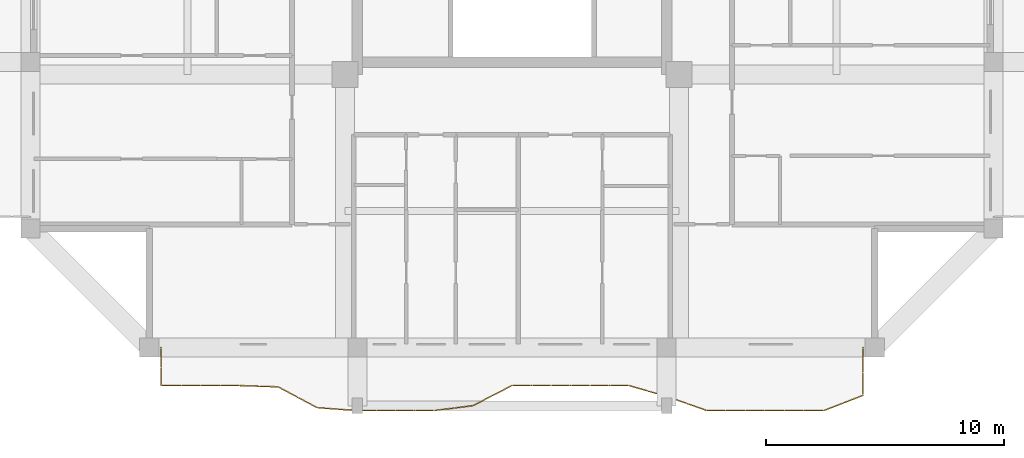
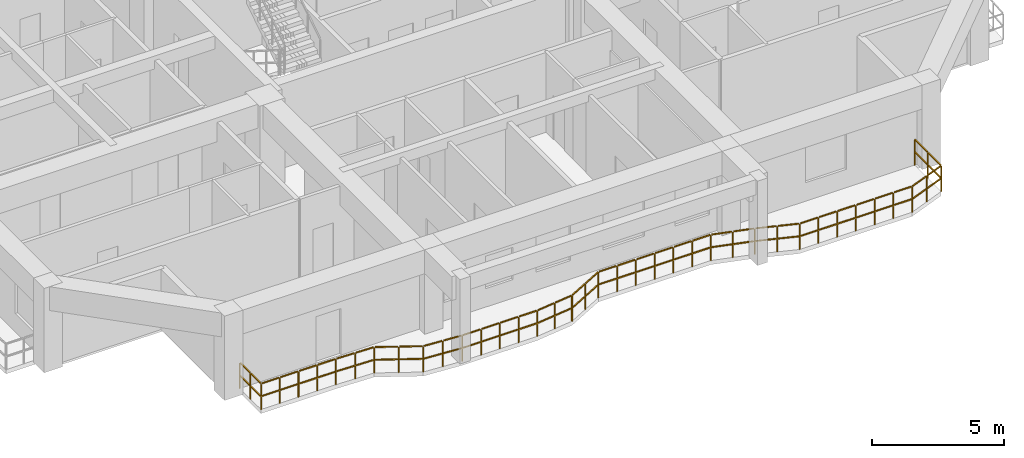
# One storey, part 10 of 14: 1 railing.
"""IFC4 building model written with IfcOpenShell, lengths in metres."""

import ifcopenshell
import ifcopenshell.guid

model = None  # the IFC model being written
_history = None  # IfcOwnerHistory: only IFC2X3 demands one
_inside = {}  # id of a spatial element -> (the spatial element, [elements in it])
_under = {}  # id of a project, library or spatial element -> (it, [spatial elements below it])
_declared = {}  # id of a project -> (the project, [libraries it declares])
_typed = {}  # id of a type object -> (the type object, [elements of that type])
_made_of = {}  # id of a material, layer set ... -> (it, [elements and type objects made of it])


def new_model(schema):
    """Start an empty IFC model of exactly this schema.

    Asked for "IFC4X3", IfcOpenShell would pick the latest addendum, in which some entities
    have other attributes; the version numbers below select the first issue.
    IFC2X3 requires an IfcOwnerHistory on every rooted entity: one is made here for all.
    """
    global model, _history
    if schema == "IFC4X3":
        model = ifcopenshell.file(schema_version=(4, 3, 0, 0))
    else:
        model = ifcopenshell.file(schema=schema)
    _inside.clear()
    _under.clear()
    _declared.clear()
    _typed.clear()
    _made_of.clear()
    _history = None
    if model.schema == "IFC2X3":
        org = make("IfcOrganization", Name="unknown")
        user = make(
            "IfcPersonAndOrganization",
            ThePerson=make("IfcPerson", FamilyName="unknown"),
            TheOrganization=org,
        )
        app = make(
            "IfcApplication",
            ApplicationDeveloper=org,
            Version="unknown",
            ApplicationFullName="unknown",
            ApplicationIdentifier="unknown",
        )
        _history = make(
            "IfcOwnerHistory",
            OwningUser=user,
            OwningApplication=app,
            ChangeAction="ADDED",
            CreationDate=0,
        )
    return model


def make(cls, **values):
    """One entity of the class cls with the attributes given. An attribute that is None is left unset."""
    return model.create_entity(
        cls, **{name: value for name, value in values.items() if value is not None}
    )


def rooted(cls, **values):
    """An entity with a GlobalId (a new one), such as an element, a storey or a relation."""
    return make(cls, GlobalId=ifcopenshell.guid.new(), OwnerHistory=_history, **values)


def si_unit(unit_type, name, prefix=None):
    """IfcSIUnit, for example si_unit("LENGTHUNIT", "METRE", prefix="MILLI")."""
    return make("IfcSIUnit", UnitType=unit_type, Prefix=prefix, Name=name)


def assignment(units):
    """IfcUnitAssignment: the units of a project."""
    return None if units is None else make("IfcUnitAssignment", Units=units)


def point(xyz):
    """IfcCartesianPoint."""
    return None if xyz is None else make("IfcCartesianPoint", Coordinates=xyz)


def direction(xyz):
    """IfcDirection."""
    return None if xyz is None else make("IfcDirection", DirectionRatios=xyz)


def frame(location, z_axis=None, x_axis=None):
    """IfcAxis2Placement3D, a coordinate frame: its origin and axes. An axis left out is left unset."""
    return make(
        "IfcAxis2Placement3D",
        Location=point(location),
        Axis=direction(z_axis),
        RefDirection=direction(x_axis),
    )


def frame_2d(location, x_axis=None):
    """IfcAxis2Placement2D, a coordinate frame in the plane: its origin and x axis."""
    return make(
        "IfcAxis2Placement2D", Location=point(location), RefDirection=direction(x_axis)
    )


def origin():
    """The frame at (0, 0, 0) with its axes left unset."""
    return frame((0.0, 0.0, 0.0))


def origin_2d():
    """The frame at (0, 0) in the plane with its x axis left unset."""
    return frame_2d((0.0, 0.0))


def place(relative_to, where):
    """IfcLocalPlacement: puts the frame where relative to a parent placement (None: the world)."""
    return make(
        "IfcLocalPlacement", PlacementRelTo=relative_to, RelativePlacement=where
    )


def context(
    kind, dimensions, precision=None, world=None, true_north=None, identifier=None
):
    """IfcGeometricRepresentationContext, for example the 3D "Model" context."""
    return make(
        "IfcGeometricRepresentationContext",
        ContextIdentifier=identifier,
        ContextType=kind,
        CoordinateSpaceDimension=dimensions,
        Precision=precision,
        WorldCoordinateSystem=world,
        TrueNorth=true_north,
    )


def subcontext(parent, identifier, kind, view, scale=None):
    """IfcGeometricRepresentationSubContext, for example "Body" below "Model"."""
    return make(
        "IfcGeometricRepresentationSubContext",
        ContextIdentifier=identifier,
        ContextType=kind,
        ParentContext=parent,
        TargetScale=scale,
        TargetView=view,
    )


def project(units=None, contexts=None):
    """IfcProject with its units and contexts."""
    return rooted(
        "IfcProject",
        Name="project",
        RepresentationContexts=contexts,
        UnitsInContext=assignment(units),
    )


def spatial(cls, under=None, at=None, **own):
    """A site, building, storey or space (cls), placed at a placement, below another one or the project."""
    s = rooted(cls, ObjectPlacement=at, **own)
    if under is not None:
        _under.setdefault(under.id(), (under, []))[1].append(s)
    return s


def profile(cls, at=None, kind="AREA", **sizes):
    """A parametric profile (cls). Its sizes go by their IFC names, for example OverallWidth=200.0."""
    return make(cls, ProfileType=kind, Position=at, **sizes)


def rectangle(**sizes):
    """IfcRectangleProfileDef."""
    return profile("IfcRectangleProfileDef", **sizes)


def extrude(swept, where, along, depth):
    """IfcExtrudedAreaSolid: the profile swept, set in the frame where, extruded along a direction by depth."""
    return make(
        "IfcExtrudedAreaSolid",
        SweptArea=swept,
        Position=where,
        ExtrudedDirection=direction(along),
        Depth=depth,
    )


def shape(context_of_items, identifier, shape_type, items):
    """IfcShapeRepresentation: the items that make up one representation, for example the "Body"."""
    return make(
        "IfcShapeRepresentation",
        ContextOfItems=context_of_items,
        RepresentationIdentifier=identifier,
        RepresentationType=shape_type,
        Items=items,
    )


def material(Name=None, Category=None):
    """IfcMaterial."""
    return make("IfcMaterial", Name=Name, Category=Category)


def made_of(thing, what):
    """Note that an element or type object is made of a material, layer set ...; save() writes the relation."""
    if what is not None:
        _made_of.setdefault(what.id(), (what, []))[1].append(thing)
    return thing


def type_object(cls, material=None, **own):
    """A type object (cls), such as IfcWallType, which elements share."""
    return made_of(rooted(cls, **own), material)


def element(
    cls,
    number,
    at=None,
    inside=None,
    cuts=None,
    type_object=None,
    material=None,
    context=None,
    identifier="Body",
    shape_type=None,
    held_by="IfcProductDefinitionShape",
    body=None,
    shapes=None,
    **own,
):
    """One element of the class cls, such as IfcWall. Its Tag is "e" and its number.

    at: its placement. inside: the storey or other place that contains it. cuts: it is an
    opening in that element (IfcRelVoidsElement). A single representation is given by context,
    identifier, shape_type and body (its items); several are given by shapes. held_by: the class
    of the entity that holds the representations. save() writes the other relations.
    """
    e = rooted(cls, Tag="e%d" % number, ObjectPlacement=at, **own)
    if body is not None:
        shapes = [shape(context, identifier, shape_type, body)]
    if shapes is not None:
        e.Representation = make(held_by, Representations=shapes)
    if inside is not None:
        _inside.setdefault(inside.id(), (inside, []))[1].append(e)
    if cuts is not None:
        rooted(
            "IfcRelVoidsElement", RelatingBuildingElement=cuts, RelatedOpeningElement=e
        )
    if type_object is not None:
        _typed.setdefault(type_object.id(), (type_object, []))[1].append(e)
    return made_of(e, material)


def aggregate(whole, parts):
    """IfcRelAggregates: a whole, such as a stair, and the parts it consists of."""
    return rooted("IfcRelAggregates", RelatingObject=whole, RelatedObjects=parts)


def save(model, path):
    """Write the relations noted so far, then the file.

    IfcRelAggregates (storeys below a building ...), IfcRelContainedInSpatialStructure (elements
    in a storey), IfcRelDefinesByType, IfcRelAssociatesMaterial and IfcRelDeclares: one each for
    every whole, place, type object, material and project.
    """
    for whole, parts in _under.values():
        aggregate(whole, parts)
    for where, things in _inside.values():
        rooted(
            "IfcRelContainedInSpatialStructure",
            RelatedElements=things,
            RelatingStructure=where,
        )
    for kind, things in _typed.values():
        rooted("IfcRelDefinesByType", RelatedObjects=things, RelatingType=kind)
    for what, things in _made_of.values():
        rooted("IfcRelAssociatesMaterial", RelatedObjects=things, RelatingMaterial=what)
    for by, libraries in _declared.values():
        rooted("IfcRelDeclares", RelatingContext=by, RelatedDefinitions=libraries)
    model.write(path)


model = new_model("IFC4")

# Units and contexts
model_context = context("Model", 3, precision=1e-05, world=origin(), true_north=direction((0.0, 1.0)))
body_context = subcontext(model_context, "Body", "Model", "MODEL_VIEW")
ifc_project = project(units=[si_unit("LENGTHUNIT", "METRE"), si_unit("AREAUNIT", "SQUARE_METRE"), si_unit("VOLUMEUNIT", "CUBIC_METRE"), si_unit("PLANEANGLEUNIT", "RADIAN"), si_unit("MASSUNIT", "GRAM", prefix="KILO")], contexts=[model_context])

# Site, building, storey
site_placement = place(None, origin())
site = spatial("IfcSite", under=ifc_project, at=site_placement, CompositionType="ELEMENT")
building_placement = place(site_placement, origin())
building = spatial("IfcBuilding", under=site, at=building_placement, Name="Saelheon Loggia Tower", CompositionType="ELEMENT")
storey_placement = place(building_placement, frame((0.0, 0.0, 182.800048828125)))
storey = spatial("IfcBuildingStorey", under=building, at=storey_placement, Name="L57", CompositionType="ELEMENT", Elevation=182.800048828125)

# Railing
ifc_material = material(Name="Architectural Precast Concrete and Laminated Glass Guard", Category="concrete")
railing_type = type_object("IfcRailingType", Name="Guard_Loggia_RL_LOG", PredefinedType="BALUSTRADE", material=ifc_material)
railing_placement = place(storey_placement, frame((23.25, 6.0, 0.0)))
element("IfcRailing", 1, at=railing_placement, inside=storey, type_object=railing_type, Name="L57 South Loggia Balustrade", PredefinedType="BALUSTRADE", context=body_context, shape_type="SweptSolid", body=[
    extrude(rectangle(XDim=0.048095703125, YDim=0.048095703125, at=origin_2d()), frame((0.0, -0.033203125, 1.19580078125), z_axis=(0.0, -1.0, 0.0), x_axis=(1.0, 0.0, 0.0)), (0.0, 0.0, 1.0), 0.733642578125),
    extrude(rectangle(XDim=0.048095703125, YDim=0.048095703125, at=origin_2d()), frame((0.0, -0.033203125, 0.60986328125), z_axis=(0.0, -1.0, 0.0), x_axis=(1.0, 0.0, 0.0)), (0.0, 0.0, 1.0), 0.733642578125),
    extrude(rectangle(XDim=0.048095703125, YDim=0.048095703125, at=origin_2d()), frame((0.0, -0.833251953125, 1.19580078125), z_axis=(0.0, -1.0, 0.0), x_axis=(1.0, 0.0, 0.0)), (0.0, 0.0, 1.0), 0.733642578125),
    extrude(rectangle(XDim=0.048095703125, YDim=0.048095703125, at=origin_2d()), frame((0.0, -0.833251953125, 0.60986328125), z_axis=(0.0, -1.0, 0.0), x_axis=(1.0, 0.0, 0.0)), (0.0, 0.0, 1.0), 0.733642578125),
    extrude(rectangle(XDim=0.048095703125, YDim=0.048095703125, at=origin_2d()), frame((0.033203125, -1.60009765625, 1.19580078125), z_axis=(1.0, 0.0, 0.0), x_axis=(0.0, 1.0, 0.0)), (0.0, 0.0, 1.0), 0.7529296875),
    extrude(rectangle(XDim=0.048095703125, YDim=0.048095703125, at=origin_2d()), frame((0.033203125, -1.60009765625, 0.60986328125), z_axis=(1.0, 0.0, 0.0), x_axis=(0.0, 1.0, 0.0)), (0.0, 0.0, 1.0), 0.7529296875),
    extrude(rectangle(XDim=0.048095703125, YDim=0.048095703125, at=origin_2d()), frame((0.852783203125, -1.60009765625, 1.19580078125), z_axis=(1.0, 0.0, 0.0), x_axis=(0.0, 1.0, 0.0)), (0.0, 0.0, 1.0), 0.7529296875),
    extrude(rectangle(XDim=0.048095703125, YDim=0.048095703125, at=origin_2d()), frame((0.852783203125, -1.60009765625, 0.60986328125), z_axis=(1.0, 0.0, 0.0), x_axis=(0.0, 1.0, 0.0)), (0.0, 0.0, 1.0), 0.7529296875),
    extrude(rectangle(XDim=0.048095703125, YDim=0.048095703125, at=origin_2d()), frame((1.672119140625, -1.60009765625, 1.19580078125), z_axis=(1.0, 0.0, 0.0), x_axis=(0.0, 1.0, 0.0)), (0.0, 0.0, 1.0), 0.7529296875),
    extrude(rectangle(XDim=0.048095703125, YDim=0.048095703125, at=origin_2d()), frame((1.672119140625, -1.60009765625, 0.60986328125), z_axis=(1.0, 0.0, 0.0), x_axis=(0.0, 1.0, 0.0)), (0.0, 0.0, 1.0), 0.7529296875),
    extrude(rectangle(XDim=0.048095703125, YDim=0.048095703125, at=origin_2d()), frame((2.49169921875, -1.60009765625, 1.19580078125), z_axis=(1.0, 0.0, 0.0), x_axis=(0.0, 1.0, 0.0)), (0.0, 0.0, 1.0), 0.7529296875),
    extrude(rectangle(XDim=0.048095703125, YDim=0.048095703125, at=origin_2d()), frame((2.49169921875, -1.60009765625, 0.60986328125), z_axis=(1.0, 0.0, 0.0), x_axis=(0.0, 1.0, 0.0)), (0.0, 0.0, 1.0), 0.7529296875),
    extrude(rectangle(XDim=0.048095703125, YDim=0.048095703125, at=origin_2d()), frame((3.31103515625, -1.60107421875, 1.19580078125), z_axis=(0.999453630287, -0.033052093836, 0.0), x_axis=(0.033052093836, 0.999453630287, 0.0)), (0.0, 0.0, 1.0), 0.75341796875),
    extrude(rectangle(XDim=0.048095703125, YDim=0.048095703125, at=origin_2d()), frame((3.31103515625, -1.60107421875, 0.60986328125), z_axis=(0.999453630287, -0.033052093836, 0.0), x_axis=(0.033052093836, 0.999453630287, 0.0)), (0.0, 0.0, 1.0), 0.75341796875),
    extrude(rectangle(XDim=0.048095703125, YDim=0.048095703125, at=origin_2d()), frame((4.130615234375, -1.628173828125, 1.19580078125), z_axis=(0.999453630287, -0.033052093836, 0.0), x_axis=(0.033052093836, 0.999453630287, 0.0)), (0.0, 0.0, 1.0), 0.75341796875),
    extrude(rectangle(XDim=0.048095703125, YDim=0.048095703125, at=origin_2d()), frame((4.130615234375, -1.628173828125, 0.60986328125), z_axis=(0.999453630287, -0.033052093836, 0.0), x_axis=(0.033052093836, 0.999453630287, 0.0)), (0.0, 0.0, 1.0), 0.75341796875),
    extrude(rectangle(XDim=0.048095703125, YDim=0.048095703125, at=origin_2d()), frame((4.946044921875, -1.669921875, 1.19580078125), z_axis=(0.88231291672, -0.470663273465, 0.0), x_axis=(0.470663273465, 0.88231291672, 0.0)), (0.0, 0.0, 1.0), 0.8623046875),
    extrude(rectangle(XDim=0.048095703125, YDim=0.048095703125, at=origin_2d()), frame((4.946044921875, -1.669921875, 0.60986328125), z_axis=(0.88231291672, -0.470663273465, 0.0), x_axis=(0.470663273465, 0.88231291672, 0.0)), (0.0, 0.0, 1.0), 0.8623046875),
    extrude(rectangle(XDim=0.048095703125, YDim=0.048095703125, at=origin_2d()), frame((5.765625, -2.107177734375, 1.19580078125), z_axis=(0.88231291672, -0.470663273465, 0.0), x_axis=(0.470663273465, 0.88231291672, 0.0)), (0.0, 0.0, 1.0), 0.8623046875),
    extrude(rectangle(XDim=0.048095703125, YDim=0.048095703125, at=origin_2d()), frame((5.765625, -2.107177734375, 0.60986328125), z_axis=(0.88231291672, -0.470663273465, 0.0), x_axis=(0.470663273465, 0.88231291672, 0.0)), (0.0, 0.0, 1.0), 0.8623046875),
    extrude(rectangle(XDim=0.048095703125, YDim=0.048095703125, at=origin_2d()), frame((6.5888671875, -2.531005859375, 1.19580078125), z_axis=(0.997269781095, -0.073844320799, 0.0), x_axis=(0.073844320799, 0.997269781095, 0.0)), (0.0, 0.0, 1.0), 0.755126953125),
    extrude(rectangle(XDim=0.048095703125, YDim=0.048095703125, at=origin_2d()), frame((6.5888671875, -2.531005859375, 0.60986328125), z_axis=(0.997269781095, -0.073844320799, 0.0), x_axis=(0.073844320799, 0.997269781095, 0.0)), (0.0, 0.0, 1.0), 0.755126953125),
    extrude(rectangle(XDim=0.048095703125, YDim=0.048095703125, at=origin_2d()), frame((7.408203125, -2.591796875, 1.19580078125), z_axis=(0.997269781095, -0.073844320799, 0.0), x_axis=(0.073844320799, 0.997269781095, 0.0)), (0.0, 0.0, 1.0), 0.755126953125),
    extrude(rectangle(XDim=0.048095703125, YDim=0.048095703125, at=origin_2d()), frame((7.408203125, -2.591796875, 0.60986328125), z_axis=(0.997269781095, -0.073844320799, 0.0), x_axis=(0.073844320799, 0.997269781095, 0.0)), (0.0, 0.0, 1.0), 0.755126953125),
    extrude(rectangle(XDim=0.048095703125, YDim=0.048095703125, at=origin_2d()), frame((8.2275390625, -2.64990234375, 1.19580078125), z_axis=(1.0, 0.0, 0.0), x_axis=(0.0, 1.0, 0.0)), (0.0, 0.0, 1.0), 0.7529296875),
    extrude(rectangle(XDim=0.048095703125, YDim=0.048095703125, at=origin_2d()), frame((8.2275390625, -2.64990234375, 0.60986328125), z_axis=(1.0, 0.0, 0.0), x_axis=(0.0, 1.0, 0.0)), (0.0, 0.0, 1.0), 0.7529296875),
    extrude(rectangle(XDim=0.048095703125, YDim=0.048095703125, at=origin_2d()), frame((9.047119140625, -2.64990234375, 1.19580078125), z_axis=(1.0, 0.0, 0.0), x_axis=(0.0, 1.0, 0.0)), (0.0, 0.0, 1.0), 0.7529296875),
    extrude(rectangle(XDim=0.048095703125, YDim=0.048095703125, at=origin_2d()), frame((9.047119140625, -2.64990234375, 0.60986328125), z_axis=(1.0, 0.0, 0.0), x_axis=(0.0, 1.0, 0.0)), (0.0, 0.0, 1.0), 0.7529296875),
    extrude(rectangle(XDim=0.048095703125, YDim=0.048095703125, at=origin_2d()), frame((9.866455078125, -2.64990234375, 1.19580078125), z_axis=(1.0, 0.0, 0.0), x_axis=(0.0, 1.0, 0.0)), (0.0, 0.0, 1.0), 0.7529296875),
    extrude(rectangle(XDim=0.048095703125, YDim=0.048095703125, at=origin_2d()), frame((9.866455078125, -2.64990234375, 0.60986328125), z_axis=(1.0, 0.0, 0.0), x_axis=(0.0, 1.0, 0.0)), (0.0, 0.0, 1.0), 0.7529296875),
    extrude(rectangle(XDim=0.048095703125, YDim=0.048095703125, at=origin_2d()), frame((10.68603515625, -2.64990234375, 1.19580078125), z_axis=(1.0, 0.0, 0.0), x_axis=(0.0, 1.0, 0.0)), (0.0, 0.0, 1.0), 0.7529296875),
    extrude(rectangle(XDim=0.048095703125, YDim=0.048095703125, at=origin_2d()), frame((10.68603515625, -2.64990234375, 0.60986328125), z_axis=(1.0, 0.0, 0.0), x_axis=(0.0, 1.0, 0.0)), (0.0, 0.0, 1.0), 0.7529296875),
    extrude(rectangle(XDim=0.048095703125, YDim=0.048095703125, at=origin_2d()), frame((11.505126953125, -2.645751953125, 1.19580078125), z_axis=(0.99194938468, 0.126634980288, 0.0), x_axis=(-0.126634980288, 0.99194938468, 0.0)), (0.0, 0.0, 1.0), 0.759521484375),
    extrude(rectangle(XDim=0.048095703125, YDim=0.048095703125, at=origin_2d()), frame((11.505126953125, -2.645751953125, 0.60986328125), z_axis=(0.99194938468, 0.126634980288, 0.0), x_axis=(-0.126634980288, 0.99194938468, 0.0)), (0.0, 0.0, 1.0), 0.759521484375),
    extrude(rectangle(XDim=0.048095703125, YDim=0.048095703125, at=origin_2d()), frame((12.32470703125, -2.541015625, 1.19580078125), z_axis=(0.99194938468, 0.126634980288, 0.0), x_axis=(-0.126634980288, 0.99194938468, 0.0)), (0.0, 0.0, 1.0), 0.759521484375),
    extrude(rectangle(XDim=0.048095703125, YDim=0.048095703125, at=origin_2d()), frame((12.32470703125, -2.541015625, 0.60986328125), z_axis=(0.99194938468, 0.126634980288, 0.0), x_axis=(-0.126634980288, 0.99194938468, 0.0)), (0.0, 0.0, 1.0), 0.759521484375),
    extrude(rectangle(XDim=0.048095703125, YDim=0.048095703125, at=origin_2d()), frame((13.140625, -2.425537109375, 1.19580078125), z_axis=(0.889794001833, 0.456362393611, 0.0), x_axis=(-0.456362393611, 0.889794001833, 0.0)), (0.0, 0.0, 1.0), 0.8544921875),
    extrude(rectangle(XDim=0.048095703125, YDim=0.048095703125, at=origin_2d()), frame((13.140625, -2.425537109375, 0.60986328125), z_axis=(0.889794001833, 0.456362393611, 0.0), x_axis=(-0.456362393611, 0.889794001833, 0.0)), (0.0, 0.0, 1.0), 0.8544921875),
    extrude(rectangle(XDim=0.048095703125, YDim=0.048095703125, at=origin_2d()), frame((13.960205078125, -2.005126953125, 1.19580078125), z_axis=(0.889794001833, 0.456362393611, 0.0), x_axis=(-0.456362393611, 0.889794001833, 0.0)), (0.0, 0.0, 1.0), 0.8544921875),
    extrude(rectangle(XDim=0.048095703125, YDim=0.048095703125, at=origin_2d()), frame((13.960205078125, -2.005126953125, 0.60986328125), z_axis=(0.889794001833, 0.456362393611, 0.0), x_axis=(-0.456362393611, 0.889794001833, 0.0)), (0.0, 0.0, 1.0), 0.8544921875),
    extrude(rectangle(XDim=0.048095703125, YDim=0.048095703125, at=origin_2d()), frame((14.783203125, -1.60009765625, 1.19580078125), z_axis=(1.0, 0.0, 0.0), x_axis=(0.0, 1.0, 0.0)), (0.0, 0.0, 1.0), 0.7529296875),
    extrude(rectangle(XDim=0.048095703125, YDim=0.048095703125, at=origin_2d()), frame((14.783203125, -1.60009765625, 0.60986328125), z_axis=(1.0, 0.0, 0.0), x_axis=(0.0, 1.0, 0.0)), (0.0, 0.0, 1.0), 0.7529296875),
    extrude(rectangle(XDim=0.048095703125, YDim=0.048095703125, at=origin_2d()), frame((15.602783203125, -1.60009765625, 1.19580078125), z_axis=(1.0, 0.0, 0.0), x_axis=(0.0, 1.0, 0.0)), (0.0, 0.0, 1.0), 0.7529296875),
    extrude(rectangle(XDim=0.048095703125, YDim=0.048095703125, at=origin_2d()), frame((15.602783203125, -1.60009765625, 0.60986328125), z_axis=(1.0, 0.0, 0.0), x_axis=(0.0, 1.0, 0.0)), (0.0, 0.0, 1.0), 0.7529296875),
    extrude(rectangle(XDim=0.048095703125, YDim=0.048095703125, at=origin_2d()), frame((16.422119140625, -1.60009765625, 1.19580078125), z_axis=(1.0, 0.0, 0.0), x_axis=(0.0, 1.0, 0.0)), (0.0, 0.0, 1.0), 0.7529296875),
    extrude(rectangle(XDim=0.048095703125, YDim=0.048095703125, at=origin_2d()), frame((16.422119140625, -1.60009765625, 0.60986328125), z_axis=(1.0, 0.0, 0.0), x_axis=(0.0, 1.0, 0.0)), (0.0, 0.0, 1.0), 0.7529296875),
    extrude(rectangle(XDim=0.048095703125, YDim=0.048095703125, at=origin_2d()), frame((17.24169921875, -1.60009765625, 1.19580078125), z_axis=(1.0, 0.0, 0.0), x_axis=(0.0, 1.0, 0.0)), (0.0, 0.0, 1.0), 0.7529296875),
    extrude(rectangle(XDim=0.048095703125, YDim=0.048095703125, at=origin_2d()), frame((17.24169921875, -1.60009765625, 0.60986328125), z_axis=(1.0, 0.0, 0.0), x_axis=(0.0, 1.0, 0.0)), (0.0, 0.0, 1.0), 0.7529296875),
    extrude(rectangle(XDim=0.048095703125, YDim=0.048095703125, at=origin_2d()), frame((18.06103515625, -1.60009765625, 1.19580078125), z_axis=(1.0, 0.0, 0.0), x_axis=(0.0, 1.0, 0.0)), (0.0, 0.0, 1.0), 0.7529296875),
    extrude(rectangle(XDim=0.048095703125, YDim=0.048095703125, at=origin_2d()), frame((18.06103515625, -1.60009765625, 0.60986328125), z_axis=(1.0, 0.0, 0.0), x_axis=(0.0, 1.0, 0.0)), (0.0, 0.0, 1.0), 0.7529296875),
    extrude(rectangle(XDim=0.048095703125, YDim=0.048095703125, at=origin_2d()), frame((18.880615234375, -1.60009765625, 1.19580078125), z_axis=(1.0, 0.0, 0.0), x_axis=(0.0, 1.0, 0.0)), (0.0, 0.0, 1.0), 0.7529296875),
    extrude(rectangle(XDim=0.048095703125, YDim=0.048095703125, at=origin_2d()), frame((18.880615234375, -1.60009765625, 0.60986328125), z_axis=(1.0, 0.0, 0.0), x_axis=(0.0, 1.0, 0.0)), (0.0, 0.0, 1.0), 0.7529296875),
    extrude(rectangle(XDim=0.048095703125, YDim=0.048095703125, at=origin_2d()), frame((19.69873046875, -1.609375, 1.19580078125), z_axis=(0.961030803271, -0.276441305097, 0.0), x_axis=(0.276441305097, 0.961030803271, 0.0)), (0.0, 0.0, 1.0), 0.7861328125),
    extrude(rectangle(XDim=0.048095703125, YDim=0.048095703125, at=origin_2d()), frame((19.69873046875, -1.609375, 0.60986328125), z_axis=(0.961030803271, -0.276441305097, 0.0), x_axis=(0.276441305097, 0.961030803271, 0.0)), (0.0, 0.0, 1.0), 0.7861328125),
    extrude(rectangle(XDim=0.048095703125, YDim=0.048095703125, at=origin_2d()), frame((20.51806640625, -1.844970703125, 1.19580078125), z_axis=(0.961030803271, -0.276441305097, 0.0), x_axis=(0.276441305097, 0.961030803271, 0.0)), (0.0, 0.0, 1.0), 0.7861328125),
    extrude(rectangle(XDim=0.048095703125, YDim=0.048095703125, at=origin_2d()), frame((20.51806640625, -1.844970703125, 0.60986328125), z_axis=(0.961030803271, -0.276441305097, 0.0), x_axis=(0.276441305097, 0.961030803271, 0.0)), (0.0, 0.0, 1.0), 0.7861328125),
    extrude(rectangle(XDim=0.048095703125, YDim=0.048095703125, at=origin_2d()), frame((21.3369140625, -2.08251953125, 1.19580078125), z_axis=(0.942987739841, -0.33282746658, 0.0), x_axis=(0.33282746658, 0.942987739841, 0.0)), (0.0, 0.0, 1.0), 0.802490234375),
    extrude(rectangle(XDim=0.048095703125, YDim=0.048095703125, at=origin_2d()), frame((21.3369140625, -2.08251953125, 0.60986328125), z_axis=(0.942987739841, -0.33282746658, 0.0), x_axis=(0.33282746658, 0.942987739841, 0.0)), (0.0, 0.0, 1.0), 0.802490234375),
    extrude(rectangle(XDim=0.048095703125, YDim=0.048095703125, at=origin_2d()), frame((22.15625, -2.371826171875, 1.19580078125), z_axis=(0.942987739841, -0.33282746658, 0.0), x_axis=(0.33282746658, 0.942987739841, 0.0)), (0.0, 0.0, 1.0), 0.802490234375),
    extrude(rectangle(XDim=0.048095703125, YDim=0.048095703125, at=origin_2d()), frame((22.15625, -2.371826171875, 0.60986328125), z_axis=(0.942987739841, -0.33282746658, 0.0), x_axis=(0.33282746658, 0.942987739841, 0.0)), (0.0, 0.0, 1.0), 0.802490234375),
    extrude(rectangle(XDim=0.048095703125, YDim=0.048095703125, at=origin_2d()), frame((22.9775390625, -2.64990234375, 1.19580078125), z_axis=(1.0, 0.0, 0.0), x_axis=(0.0, 1.0, 0.0)), (0.0, 0.0, 1.0), 0.7529296875),
    extrude(rectangle(XDim=0.048095703125, YDim=0.048095703125, at=origin_2d()), frame((22.9775390625, -2.64990234375, 0.60986328125), z_axis=(1.0, 0.0, 0.0), x_axis=(0.0, 1.0, 0.0)), (0.0, 0.0, 1.0), 0.7529296875),
    extrude(rectangle(XDim=0.048095703125, YDim=0.048095703125, at=origin_2d()), frame((23.797119140625, -2.64990234375, 1.19580078125), z_axis=(1.0, 0.0, 0.0), x_axis=(0.0, 1.0, 0.0)), (0.0, 0.0, 1.0), 0.7529296875),
    extrude(rectangle(XDim=0.048095703125, YDim=0.048095703125, at=origin_2d()), frame((23.797119140625, -2.64990234375, 0.60986328125), z_axis=(1.0, 0.0, 0.0), x_axis=(0.0, 1.0, 0.0)), (0.0, 0.0, 1.0), 0.7529296875),
    extrude(rectangle(XDim=0.048095703125, YDim=0.048095703125, at=origin_2d()), frame((24.616455078125, -2.64990234375, 1.19580078125), z_axis=(1.0, 0.0, 0.0), x_axis=(0.0, 1.0, 0.0)), (0.0, 0.0, 1.0), 0.7529296875),
    extrude(rectangle(XDim=0.048095703125, YDim=0.048095703125, at=origin_2d()), frame((24.616455078125, -2.64990234375, 0.60986328125), z_axis=(1.0, 0.0, 0.0), x_axis=(0.0, 1.0, 0.0)), (0.0, 0.0, 1.0), 0.7529296875),
    extrude(rectangle(XDim=0.048095703125, YDim=0.048095703125, at=origin_2d()), frame((25.43603515625, -2.64990234375, 1.19580078125), z_axis=(1.0, 0.0, 0.0), x_axis=(0.0, 1.0, 0.0)), (0.0, 0.0, 1.0), 0.7529296875),
    extrude(rectangle(XDim=0.048095703125, YDim=0.048095703125, at=origin_2d()), frame((25.43603515625, -2.64990234375, 0.60986328125), z_axis=(1.0, 0.0, 0.0), x_axis=(0.0, 1.0, 0.0)), (0.0, 0.0, 1.0), 0.7529296875),
    extrude(rectangle(XDim=0.048095703125, YDim=0.048095703125, at=origin_2d()), frame((26.25537109375, -2.64990234375, 1.19580078125), z_axis=(1.0, 0.0, 0.0), x_axis=(0.0, 1.0, 0.0)), (0.0, 0.0, 1.0), 0.7529296875),
    extrude(rectangle(XDim=0.048095703125, YDim=0.048095703125, at=origin_2d()), frame((26.25537109375, -2.64990234375, 0.60986328125), z_axis=(1.0, 0.0, 0.0), x_axis=(0.0, 1.0, 0.0)), (0.0, 0.0, 1.0), 0.7529296875),
    extrude(rectangle(XDim=0.048095703125, YDim=0.048095703125, at=origin_2d()), frame((27.074951171875, -2.64990234375, 1.19580078125), z_axis=(1.0, 0.0, 0.0), x_axis=(0.0, 1.0, 0.0)), (0.0, 0.0, 1.0), 0.7529296875),
    extrude(rectangle(XDim=0.048095703125, YDim=0.048095703125, at=origin_2d()), frame((27.074951171875, -2.64990234375, 0.60986328125), z_axis=(1.0, 0.0, 0.0), x_axis=(0.0, 1.0, 0.0)), (0.0, 0.0, 1.0), 0.7529296875),
    extrude(rectangle(XDim=0.048095703125, YDim=0.048095703125, at=origin_2d()), frame((27.89208984375, -2.637939453125, 1.19580078125), z_axis=(0.93236130895, 0.361527854491, 0.0), x_axis=(-0.361527854491, 0.93236130895, 0.0)), (0.0, 0.0, 1.0), 0.8125),
    extrude(rectangle(XDim=0.048095703125, YDim=0.048095703125, at=origin_2d()), frame((27.89208984375, -2.637939453125, 0.60986328125), z_axis=(0.93236130895, 0.361527854491, 0.0), x_axis=(-0.361527854491, 0.93236130895, 0.0)), (0.0, 0.0, 1.0), 0.8125),
    extrude(rectangle(XDim=0.048095703125, YDim=0.048095703125, at=origin_2d()), frame((28.71142578125, -2.320068359375, 1.19580078125), z_axis=(0.93236130895, 0.361527854491, 0.0), x_axis=(-0.361527854491, 0.93236130895, 0.0)), (0.0, 0.0, 1.0), 0.8125),
    extrude(rectangle(XDim=0.048095703125, YDim=0.048095703125, at=origin_2d()), frame((28.71142578125, -2.320068359375, 0.60986328125), z_axis=(0.93236130895, 0.361527854491, 0.0), x_axis=(-0.361527854491, 0.93236130895, 0.0)), (0.0, 0.0, 1.0), 0.8125),
    extrude(rectangle(XDim=0.048095703125, YDim=0.048095703125, at=origin_2d()), frame((29.5, -1.981201171875, 1.19580078125), z_axis=(0.0, 1.0, 0.0), x_axis=(-1.0, 0.0, 0.0)), (0.0, 0.0, 1.0), 0.940673828125),
    extrude(rectangle(XDim=0.048095703125, YDim=0.048095703125, at=origin_2d()), frame((29.5, -1.981201171875, 0.60986328125), z_axis=(0.0, 1.0, 0.0), x_axis=(-1.0, 0.0, 0.0)), (0.0, 0.0, 1.0), 0.940673828125),
    extrude(rectangle(XDim=0.048095703125, YDim=0.048095703125, at=origin_2d()), frame((29.5, -0.973876953125, 1.19580078125), z_axis=(0.0, 1.0, 0.0), x_axis=(-1.0, 0.0, 0.0)), (0.0, 0.0, 1.0), 0.940673828125),
    extrude(rectangle(XDim=0.048095703125, YDim=0.048095703125, at=origin_2d()), frame((29.5, -0.973876953125, 0.60986328125), z_axis=(0.0, 1.0, 0.0), x_axis=(-1.0, 0.0, 0.0)), (0.0, 0.0, 1.0), 0.940673828125),
    extrude(rectangle(XDim=0.0419921875, YDim=0.0419921875, at=origin_2d()), origin(), (0.0, 0.0, 1.0), 1.16796875),
    extrude(rectangle(XDim=0.0419921875, YDim=0.0419921875, at=origin_2d()), frame((0.0, -0.800048828125, 0.0)), (0.0, 0.0, 1.0), 1.16796875),
    extrude(rectangle(XDim=0.0419921875, YDim=0.0419921875, at=origin_2d()), frame((0.0, -1.60009765625, 0.0)), (0.0, 0.0, 1.0), 1.16796875),
    extrude(rectangle(XDim=0.0419921875, YDim=0.0419921875, at=origin_2d()), frame((0.8193359375, -1.60009765625, 0.0)), (0.0, 0.0, 1.0), 1.16796875),
    extrude(rectangle(XDim=0.0419921875, YDim=0.0419921875, at=origin_2d()), frame((1.638916015625, -1.60009765625, 0.0)), (0.0, 0.0, 1.0), 1.16796875),
    extrude(rectangle(XDim=0.0419921875, YDim=0.0419921875, at=origin_2d()), frame((2.45849609375, -1.60009765625, 0.0)), (0.0, 0.0, 1.0), 1.16796875),
    extrude(rectangle(XDim=0.0419921875, YDim=0.0419921875, at=origin_2d()), frame((3.27783203125, -1.60009765625, 0.0)), (0.0, 0.0, 1.0), 1.16796875),
    extrude(rectangle(XDim=0.0419921875, YDim=0.0419921875, at=origin_2d()), frame((4.09716796875, -1.627197265625, 0.0)), (0.0, 0.0, 1.0), 1.16796875),
    extrude(rectangle(XDim=0.0419921875, YDim=0.0419921875, at=origin_2d()), frame((4.916748046875, -1.654296875, 0.0)), (0.0, 0.0, 1.0), 1.16796875),
    extrude(rectangle(XDim=0.0419921875, YDim=0.0419921875, at=origin_2d()), frame((5.736328125, -2.09130859375, 0.0)), (0.0, 0.0, 1.0), 1.16796875),
    extrude(rectangle(XDim=0.0419921875, YDim=0.0419921875, at=origin_2d()), frame((6.5556640625, -2.528564453125, 0.0)), (0.0, 0.0, 1.0), 1.16796875),
    extrude(rectangle(XDim=0.0419921875, YDim=0.0419921875, at=origin_2d()), frame((7.375, -2.58935546875, 0.0)), (0.0, 0.0, 1.0), 1.16796875),
    extrude(rectangle(XDim=0.0419921875, YDim=0.0419921875, at=origin_2d()), frame((8.1943359375, -2.64990234375, 0.0)), (0.0, 0.0, 1.0), 1.16796875),
    extrude(rectangle(XDim=0.0419921875, YDim=0.0419921875, at=origin_2d()), frame((9.013671875, -2.64990234375, 0.0)), (0.0, 0.0, 1.0), 1.16796875),
    extrude(rectangle(XDim=0.0419921875, YDim=0.0419921875, at=origin_2d()), frame((9.833251953125, -2.64990234375, 0.0)), (0.0, 0.0, 1.0), 1.16796875),
    extrude(rectangle(XDim=0.0419921875, YDim=0.0419921875, at=origin_2d()), frame((10.65283203125, -2.64990234375, 0.0)), (0.0, 0.0, 1.0), 1.16796875),
    extrude(rectangle(XDim=0.0419921875, YDim=0.0419921875, at=origin_2d()), frame((11.47216796875, -2.64990234375, 0.0)), (0.0, 0.0, 1.0), 1.16796875),
    extrude(rectangle(XDim=0.0419921875, YDim=0.0419921875, at=origin_2d()), frame((12.29150390625, -2.54541015625, 0.0)), (0.0, 0.0, 1.0), 1.16796875),
    extrude(rectangle(XDim=0.0419921875, YDim=0.0419921875, at=origin_2d()), frame((13.111083984375, -2.440673828125, 0.0)), (0.0, 0.0, 1.0), 1.16796875),
    extrude(rectangle(XDim=0.0419921875, YDim=0.0419921875, at=origin_2d()), frame((13.9306640625, -2.0205078125, 0.0)), (0.0, 0.0, 1.0), 1.16796875),
    extrude(rectangle(XDim=0.0419921875, YDim=0.0419921875, at=origin_2d()), frame((14.75, -1.60009765625, 0.0)), (0.0, 0.0, 1.0), 1.16796875),
    extrude(rectangle(XDim=0.0419921875, YDim=0.0419921875, at=origin_2d()), frame((15.5693359375, -1.60009765625, 0.0)), (0.0, 0.0, 1.0), 1.16796875),
    extrude(rectangle(XDim=0.0419921875, YDim=0.0419921875, at=origin_2d()), frame((16.388916015625, -1.60009765625, 0.0)), (0.0, 0.0, 1.0), 1.16796875),
    extrude(rectangle(XDim=0.0419921875, YDim=0.0419921875, at=origin_2d()), frame((17.20849609375, -1.60009765625, 0.0)), (0.0, 0.0, 1.0), 1.16796875),
    extrude(rectangle(XDim=0.0419921875, YDim=0.0419921875, at=origin_2d()), frame((18.02783203125, -1.60009765625, 0.0)), (0.0, 0.0, 1.0), 1.16796875),
    extrude(rectangle(XDim=0.0419921875, YDim=0.0419921875, at=origin_2d()), frame((18.84716796875, -1.60009765625, 0.0)), (0.0, 0.0, 1.0), 1.16796875),
    extrude(rectangle(XDim=0.0419921875, YDim=0.0419921875, at=origin_2d()), frame((19.666748046875, -1.60009765625, 0.0)), (0.0, 0.0, 1.0), 1.16796875),
    extrude(rectangle(XDim=0.0419921875, YDim=0.0419921875, at=origin_2d()), frame((20.486328125, -1.8359375, 0.0)), (0.0, 0.0, 1.0), 1.16796875),
    extrude(rectangle(XDim=0.0419921875, YDim=0.0419921875, at=origin_2d()), frame((21.3056640625, -2.071533203125, 0.0)), (0.0, 0.0, 1.0), 1.16796875),
    extrude(rectangle(XDim=0.0419921875, YDim=0.0419921875, at=origin_2d()), frame((22.125, -2.36083984375, 0.0)), (0.0, 0.0, 1.0), 1.16796875),
    extrude(rectangle(XDim=0.0419921875, YDim=0.0419921875, at=origin_2d()), frame((22.9443359375, -2.64990234375, 0.0)), (0.0, 0.0, 1.0), 1.16796875),
    extrude(rectangle(XDim=0.0419921875, YDim=0.0419921875, at=origin_2d()), frame((23.763671875, -2.64990234375, 0.0)), (0.0, 0.0, 1.0), 1.16796875),
    extrude(rectangle(XDim=0.0419921875, YDim=0.0419921875, at=origin_2d()), frame((24.583251953125, -2.64990234375, 0.0)), (0.0, 0.0, 1.0), 1.16796875),
    extrude(rectangle(XDim=0.0419921875, YDim=0.0419921875, at=origin_2d()), frame((25.40283203125, -2.64990234375, 0.0)), (0.0, 0.0, 1.0), 1.16796875),
    extrude(rectangle(XDim=0.0419921875, YDim=0.0419921875, at=origin_2d()), frame((26.22216796875, -2.64990234375, 0.0)), (0.0, 0.0, 1.0), 1.16796875),
    extrude(rectangle(XDim=0.0419921875, YDim=0.0419921875, at=origin_2d()), frame((27.04150390625, -2.64990234375, 0.0)), (0.0, 0.0, 1.0), 1.16796875),
    extrude(rectangle(XDim=0.0419921875, YDim=0.0419921875, at=origin_2d()), frame((27.861083984375, -2.64990234375, 0.0)), (0.0, 0.0, 1.0), 1.16796875),
    extrude(rectangle(XDim=0.0419921875, YDim=0.0419921875, at=origin_2d()), frame((28.6806640625, -2.33203125, 0.0)), (0.0, 0.0, 1.0), 1.16796875),
    extrude(rectangle(XDim=0.0419921875, YDim=0.0419921875, at=origin_2d()), frame((29.5, -2.014404296875, 0.0)), (0.0, 0.0, 1.0), 1.16796875),
    extrude(rectangle(XDim=0.0419921875, YDim=0.0419921875, at=origin_2d()), frame((29.5, -1.00732421875, 0.0)), (0.0, 0.0, 1.0), 1.16796875),
    extrude(rectangle(XDim=0.0419921875, YDim=0.0419921875, at=origin_2d()), frame((29.5, 0.0, 0.0)), (0.0, 0.0, 1.0), 1.16796875),
])

save(model, "model.ifc")
